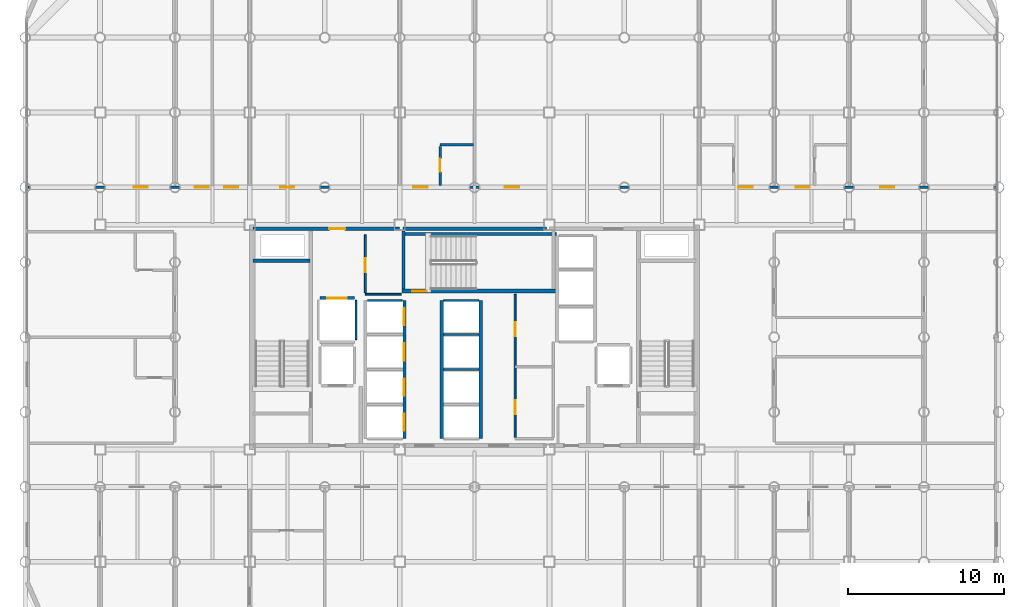
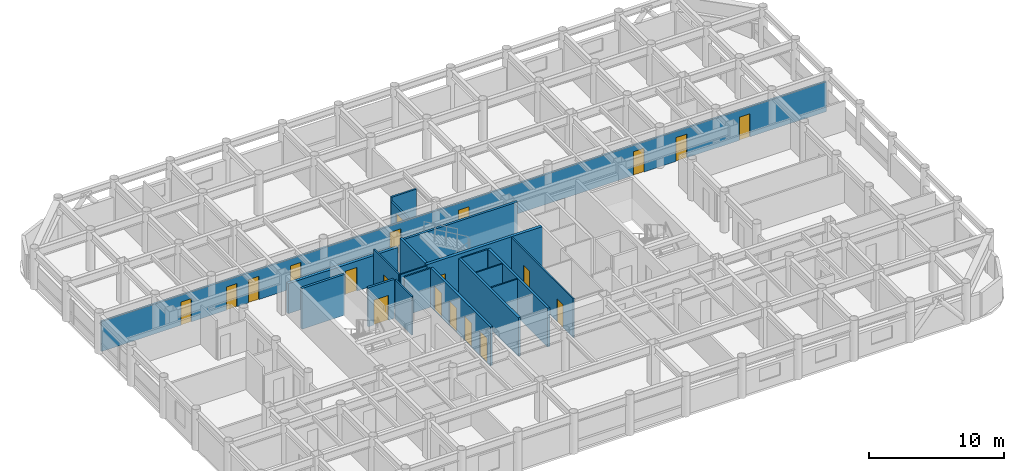
# One storey, part 17 of 20: 21 walls, 20 doors, 20 openings.
"""IFC4 building model written with IfcOpenShell, lengths in metres."""

import ifcopenshell
import ifcopenshell.guid

model = None  # the IFC model being written
_history = None  # IfcOwnerHistory: only IFC2X3 demands one
_inside = {}  # id of a spatial element -> (the spatial element, [elements in it])
_under = {}  # id of a project, library or spatial element -> (it, [spatial elements below it])
_declared = {}  # id of a project -> (the project, [libraries it declares])
_typed = {}  # id of a type object -> (the type object, [elements of that type])
_made_of = {}  # id of a material, layer set ... -> (it, [elements and type objects made of it])


def new_model(schema):
    """Start an empty IFC model of exactly this schema.

    Asked for "IFC4X3", IfcOpenShell would pick the latest addendum, in which some entities
    have other attributes; the version numbers below select the first issue.
    IFC2X3 requires an IfcOwnerHistory on every rooted entity: one is made here for all.
    """
    global model, _history
    if schema == "IFC4X3":
        model = ifcopenshell.file(schema_version=(4, 3, 0, 0))
    else:
        model = ifcopenshell.file(schema=schema)
    _inside.clear()
    _under.clear()
    _declared.clear()
    _typed.clear()
    _made_of.clear()
    _history = None
    if model.schema == "IFC2X3":
        org = make("IfcOrganization", Name="unknown")
        user = make(
            "IfcPersonAndOrganization",
            ThePerson=make("IfcPerson", FamilyName="unknown"),
            TheOrganization=org,
        )
        app = make(
            "IfcApplication",
            ApplicationDeveloper=org,
            Version="unknown",
            ApplicationFullName="unknown",
            ApplicationIdentifier="unknown",
        )
        _history = make(
            "IfcOwnerHistory",
            OwningUser=user,
            OwningApplication=app,
            ChangeAction="ADDED",
            CreationDate=0,
        )
    return model


def make(cls, **values):
    """One entity of the class cls with the attributes given. An attribute that is None is left unset."""
    return model.create_entity(
        cls, **{name: value for name, value in values.items() if value is not None}
    )


def rooted(cls, **values):
    """An entity with a GlobalId (a new one), such as an element, a storey or a relation."""
    return make(cls, GlobalId=ifcopenshell.guid.new(), OwnerHistory=_history, **values)


def si_unit(unit_type, name, prefix=None):
    """IfcSIUnit, for example si_unit("LENGTHUNIT", "METRE", prefix="MILLI")."""
    return make("IfcSIUnit", UnitType=unit_type, Prefix=prefix, Name=name)


def assignment(units):
    """IfcUnitAssignment: the units of a project."""
    return None if units is None else make("IfcUnitAssignment", Units=units)


def point(xyz):
    """IfcCartesianPoint."""
    return None if xyz is None else make("IfcCartesianPoint", Coordinates=xyz)


def direction(xyz):
    """IfcDirection."""
    return None if xyz is None else make("IfcDirection", DirectionRatios=xyz)


def frame(location, z_axis=None, x_axis=None):
    """IfcAxis2Placement3D, a coordinate frame: its origin and axes. An axis left out is left unset."""
    return make(
        "IfcAxis2Placement3D",
        Location=point(location),
        Axis=direction(z_axis),
        RefDirection=direction(x_axis),
    )


def frame_2d(location, x_axis=None):
    """IfcAxis2Placement2D, a coordinate frame in the plane: its origin and x axis."""
    return make(
        "IfcAxis2Placement2D", Location=point(location), RefDirection=direction(x_axis)
    )


def origin():
    """The frame at (0, 0, 0) with its axes left unset."""
    return frame((0.0, 0.0, 0.0))


def place(relative_to, where):
    """IfcLocalPlacement: puts the frame where relative to a parent placement (None: the world)."""
    return make(
        "IfcLocalPlacement", PlacementRelTo=relative_to, RelativePlacement=where
    )


def context(
    kind, dimensions, precision=None, world=None, true_north=None, identifier=None
):
    """IfcGeometricRepresentationContext, for example the 3D "Model" context."""
    return make(
        "IfcGeometricRepresentationContext",
        ContextIdentifier=identifier,
        ContextType=kind,
        CoordinateSpaceDimension=dimensions,
        Precision=precision,
        WorldCoordinateSystem=world,
        TrueNorth=true_north,
    )


def subcontext(parent, identifier, kind, view, scale=None):
    """IfcGeometricRepresentationSubContext, for example "Body" below "Model"."""
    return make(
        "IfcGeometricRepresentationSubContext",
        ContextIdentifier=identifier,
        ContextType=kind,
        ParentContext=parent,
        TargetScale=scale,
        TargetView=view,
    )


def project(units=None, contexts=None):
    """IfcProject with its units and contexts."""
    return rooted(
        "IfcProject",
        Name="project",
        RepresentationContexts=contexts,
        UnitsInContext=assignment(units),
    )


def spatial(cls, under=None, at=None, **own):
    """A site, building, storey or space (cls), placed at a placement, below another one or the project."""
    s = rooted(cls, ObjectPlacement=at, **own)
    if under is not None:
        _under.setdefault(under.id(), (under, []))[1].append(s)
    return s


def profile(cls, at=None, kind="AREA", **sizes):
    """A parametric profile (cls). Its sizes go by their IFC names, for example OverallWidth=200.0."""
    return make(cls, ProfileType=kind, Position=at, **sizes)


def rectangle(**sizes):
    """IfcRectangleProfileDef."""
    return profile("IfcRectangleProfileDef", **sizes)


def extrude(swept, where, along, depth):
    """IfcExtrudedAreaSolid: the profile swept, set in the frame where, extruded along a direction by depth."""
    return make(
        "IfcExtrudedAreaSolid",
        SweptArea=swept,
        Position=where,
        ExtrudedDirection=direction(along),
        Depth=depth,
    )


def shape(context_of_items, identifier, shape_type, items):
    """IfcShapeRepresentation: the items that make up one representation, for example the "Body"."""
    return make(
        "IfcShapeRepresentation",
        ContextOfItems=context_of_items,
        RepresentationIdentifier=identifier,
        RepresentationType=shape_type,
        Items=items,
    )


def material(Name=None, Category=None):
    """IfcMaterial."""
    return make("IfcMaterial", Name=Name, Category=Category)


def layer(
    of_material, thickness, ventilated=None, Name=None, Category=None, Priority=None
):
    """IfcMaterialLayer: one layer of a wall or slab, of a material (None: an air gap)."""
    return make(
        "IfcMaterialLayer",
        Material=of_material,
        LayerThickness=thickness,
        IsVentilated=ventilated,
        Name=Name,
        Category=Category,
        Priority=Priority,
    )


def layer_set(layers, Name=None):
    """IfcMaterialLayerSet."""
    return make("IfcMaterialLayerSet", MaterialLayers=layers, LayerSetName=Name)


def made_of(thing, what):
    """Note that an element or type object is made of a material, layer set ...; save() writes the relation."""
    if what is not None:
        _made_of.setdefault(what.id(), (what, []))[1].append(thing)
    return thing


def type_object(cls, material=None, **own):
    """A type object (cls), such as IfcWallType, which elements share."""
    return made_of(rooted(cls, **own), material)


def element(
    cls,
    number,
    at=None,
    inside=None,
    cuts=None,
    type_object=None,
    material=None,
    context=None,
    identifier="Body",
    shape_type=None,
    held_by="IfcProductDefinitionShape",
    body=None,
    shapes=None,
    **own,
):
    """One element of the class cls, such as IfcWall. Its Tag is "e" and its number.

    at: its placement. inside: the storey or other place that contains it. cuts: it is an
    opening in that element (IfcRelVoidsElement). A single representation is given by context,
    identifier, shape_type and body (its items); several are given by shapes. held_by: the class
    of the entity that holds the representations. save() writes the other relations.
    """
    e = rooted(cls, Tag="e%d" % number, ObjectPlacement=at, **own)
    if body is not None:
        shapes = [shape(context, identifier, shape_type, body)]
    if shapes is not None:
        e.Representation = make(held_by, Representations=shapes)
    if inside is not None:
        _inside.setdefault(inside.id(), (inside, []))[1].append(e)
    if cuts is not None:
        rooted(
            "IfcRelVoidsElement", RelatingBuildingElement=cuts, RelatedOpeningElement=e
        )
    if type_object is not None:
        _typed.setdefault(type_object.id(), (type_object, []))[1].append(e)
    return made_of(e, material)


def fill(opening, filler):
    """IfcRelFillsElement: the door or window that sits in an opening."""
    return rooted(
        "IfcRelFillsElement",
        RelatingOpeningElement=opening,
        RelatedBuildingElement=filler,
    )


def aggregate(whole, parts):
    """IfcRelAggregates: a whole, such as a stair, and the parts it consists of."""
    return rooted("IfcRelAggregates", RelatingObject=whole, RelatedObjects=parts)


def save(model, path):
    """Write the relations noted so far, then the file.

    IfcRelAggregates (storeys below a building ...), IfcRelContainedInSpatialStructure (elements
    in a storey), IfcRelDefinesByType, IfcRelAssociatesMaterial and IfcRelDeclares: one each for
    every whole, place, type object, material and project.
    """
    for whole, parts in _under.values():
        aggregate(whole, parts)
    for where, things in _inside.values():
        rooted(
            "IfcRelContainedInSpatialStructure",
            RelatedElements=things,
            RelatingStructure=where,
        )
    for kind, things in _typed.values():
        rooted("IfcRelDefinesByType", RelatedObjects=things, RelatingType=kind)
    for what, things in _made_of.values():
        rooted("IfcRelAssociatesMaterial", RelatedObjects=things, RelatingMaterial=what)
    for by, libraries in _declared.values():
        rooted("IfcRelDeclares", RelatingContext=by, RelatedDefinitions=libraries)
    model.write(path)


model = new_model("IFC4")

# Units and contexts
model_context = context("Model", 3, precision=1e-05, world=origin(), true_north=direction((0.0, 1.0)))
body_context = subcontext(model_context, "Body", "Model", "MODEL_VIEW")
ifc_project = project(units=[si_unit("LENGTHUNIT", "METRE"), si_unit("AREAUNIT", "SQUARE_METRE"), si_unit("VOLUMEUNIT", "CUBIC_METRE"), si_unit("PLANEANGLEUNIT", "RADIAN"), si_unit("MASSUNIT", "GRAM", prefix="KILO")], contexts=[model_context])

# Site, building, storey
site_placement = place(None, origin())
site = spatial("IfcSite", under=ifc_project, at=site_placement, CompositionType="ELEMENT")
building_placement = place(site_placement, origin())
building = spatial("IfcBuilding", under=site, at=building_placement, Name="Kallvorn Hotel Tower", CompositionType="ELEMENT")
storey_placement = place(building_placement, frame((0.0, 0.0, 98.89990234375)))
storey = spatial("IfcBuildingStorey", under=building, at=storey_placement, Name="L23", CompositionType="ELEMENT", Elevation=98.89990234375)

# Wall, openings, doors
ifc_material_1 = material(Name="Fire-rated double-layer acoustic gypsum drywall EI 60")
ifc_layer_1 = layer(ifc_material_1, 0.159912109375)
ifc_layer_set_1 = layer_set([ifc_layer_1], Name="WL_DEMISE_160")
wall_type_1 = type_object("IfcWallType", Name="WL_DEMISE_160", PredefinedType="PARTITIONING", material=ifc_layer_set_1)
wall_1_placement = place(storey_placement, frame((-28.6298828125, 9.60009765625, 0.0), z_axis=(0.0, 0.0, 1.0), x_axis=(1.0, 0.0, 0.0)))
wall_1 = element("IfcWall", 1, at=wall_1_placement, inside=storey, type_object=wall_type_1, Name="L23 Suite 2305 Standard King Room Partition", PredefinedType="PARTITIONING", context=body_context, shape_type="SweptSolid", body=[
    extrude(rectangle(XDim=62.059814453125, YDim=0.159912109375, at=frame_2d((31.02978515625, 0.0))), origin(), (0.0, 0.0, 1.0), 2.72021484375),
])
opening_1_placement = place(wall_1_placement, frame((6.799560546875, 0.0, 0.0)))
opening_1 = element("IfcOpeningElement", 2, at=opening_1_placement, cuts=wall_1, Name="Opening SVD1", PredefinedType="OPENING", context=body_context, shape_type="SweptSolid", body=[
    extrude(rectangle(XDim=0.89990234375, YDim=2.10009765625, at=frame_2d((0.449951171875, 1.050048828125))), frame((0.0, 0.094970703125, 0.0), z_axis=(0.0, -1.0, 0.0), x_axis=(1.0, 0.0, 0.0)), (0.0, 0.0, 1.0), 0.18994140625),
])
opening_2_placement = place(wall_1_placement, frame((54.6201171875, 0.0, 0.0)))
opening_2 = element("IfcOpeningElement", 3, at=opening_2_placement, cuts=wall_1, Name="Opening SVD1", PredefinedType="OPENING", context=body_context, shape_type="SweptSolid", body=[
    extrude(rectangle(XDim=0.89990234375, YDim=2.10009765625, at=frame_2d((0.449951171875, 1.050048828125))), frame((0.0, 0.094970703125, 0.0), z_axis=(0.0, -1.0, 0.0), x_axis=(1.0, 0.0, 0.0)), (0.0, 0.0, 1.0), 0.18994140625),
])
opening_3_placement = place(wall_1_placement, frame((10.68994140625, 0.0, 0.0)))
opening_3 = element("IfcOpeningElement", 4, at=opening_3_placement, cuts=wall_1, Name="Opening SVD1", PredefinedType="OPENING", context=body_context, shape_type="SweptSolid", body=[
    extrude(rectangle(XDim=0.89990234375, YDim=2.10009765625, at=frame_2d((0.449951171875, 1.050048828125))), frame((0.0, 0.094970703125, 0.0), z_axis=(0.0, -1.0, 0.0), x_axis=(1.0, 0.0, 0.0)), (0.0, 0.0, 1.0), 0.18994140625),
])
opening_4_placement = place(wall_1_placement, frame((12.580078125, 0.0, 0.0)))
opening_4 = element("IfcOpeningElement", 5, at=opening_4_placement, cuts=wall_1, Name="Opening SVD1", PredefinedType="OPENING", context=body_context, shape_type="SweptSolid", body=[
    extrude(rectangle(XDim=0.89990234375, YDim=2.10009765625, at=frame_2d((0.449951171875, 1.050048828125))), frame((0.0, 0.094970703125, 0.0), z_axis=(0.0, -1.0, 0.0), x_axis=(1.0, 0.0, 0.0)), (0.0, 0.0, 1.0), 0.18994140625),
])
opening_5_placement = place(wall_1_placement, frame((16.179931640625, 0.0, 0.0)))
opening_5 = element("IfcOpeningElement", 6, at=opening_5_placement, cuts=wall_1, Name="Opening SVD1", PredefinedType="OPENING", context=body_context, shape_type="SweptSolid", body=[
    extrude(rectangle(XDim=0.89990234375, YDim=2.10009765625, at=frame_2d((0.449951171875, 1.050048828125))), frame((0.0, 0.094970703125, 0.0), z_axis=(0.0, -1.0, 0.0), x_axis=(1.0, 0.0, 0.0)), (0.0, 0.0, 1.0), 0.18994140625),
])
opening_6_placement = place(wall_1_placement, frame((24.705078125, 0.0, 0.0)))
opening_6 = element("IfcOpeningElement", 7, at=opening_6_placement, cuts=wall_1, Name="Opening GD1", PredefinedType="OPENING", context=body_context, shape_type="SweptSolid", body=[
    extrude(rectangle(XDim=0.919921875, YDim=2.14990234375, at=frame_2d((0.4599609375, 1.074951171875))), frame((0.0, 0.094970703125, 0.0), z_axis=(0.0, -1.0, 0.0), x_axis=(1.0, 0.0, 0.0)), (0.0, 0.0, 1.0), 0.18994140625),
])
opening_7_placement = place(wall_1_placement, frame((30.580078125, 0.0, 0.0)))
opening_7 = element("IfcOpeningElement", 8, at=opening_7_placement, cuts=wall_1, Name="Opening SVD1", PredefinedType="OPENING", context=body_context, shape_type="SweptSolid", body=[
    extrude(rectangle(XDim=0.89990234375, YDim=2.10009765625, at=frame_2d((0.449951171875, 1.050048828125))), frame((0.0, 0.094970703125, 0.0), z_axis=(0.0, -1.0, 0.0), x_axis=(1.0, 0.0, 0.0)), (0.0, 0.0, 1.0), 0.18994140625),
])
opening_8_placement = place(wall_1_placement, frame((45.5400390625, 0.0, 0.0)))
opening_8 = element("IfcOpeningElement", 9, at=opening_8_placement, cuts=wall_1, Name="Opening GD1", PredefinedType="OPENING", context=body_context, shape_type="SweptSolid", body=[
    extrude(rectangle(XDim=0.919921875, YDim=2.14990234375, at=frame_2d((0.4599609375, 1.074951171875))), frame((0.0, 0.094970703125, 0.0), z_axis=(0.0, -1.0, 0.0), x_axis=(1.0, 0.0, 0.0)), (0.0, 0.0, 1.0), 0.18994140625),
])
opening_9_placement = place(wall_1_placement, frame((49.199951171875, 0.0, 0.0)))
opening_9 = element("IfcOpeningElement", 10, at=opening_9_placement, cuts=wall_1, Name="Opening GD1", PredefinedType="OPENING", context=body_context, shape_type="SweptSolid", body=[
    extrude(rectangle(XDim=0.919921875, YDim=2.14990234375, at=frame_2d((0.4599609375, 1.074951171875))), frame((0.0, 0.094970703125, 0.0), z_axis=(0.0, -1.0, 0.0), x_axis=(1.0, 0.0, 0.0)), (0.0, 0.0, 1.0), 0.18994140625),
])
ifc_material_2 = material(Name="Solid-core walnut veneer fire-rated timber door leaf", Category="wood")
door_type_1 = type_object("IfcDoorType", Name="DR_GUEST_920x2150", OperationType="NOTDEFINED", PredefinedType="DOOR", material=ifc_material_2)
door_1_placement = place(opening_6_placement, origin())
door_1 = element("IfcDoor", 11, at=door_1_placement, inside=storey, type_object=door_type_1, Name="L23 Suite 2305 Standard King Room Door", OperationType="SINGLE_SWING_LEFT", OverallHeight=2.14990234375, OverallWidth=0.919921875, PredefinedType="DOOR", context=body_context, shape_type="SweptSolid", body=[
    extrude(rectangle(XDim=0.919921875, YDim=2.14990234375, at=frame_2d((0.4599609375, 1.074951171875))), frame((0.0, 0.02490234375, 0.0), z_axis=(0.0, -1.0, 0.0), x_axis=(1.0, 0.0, 0.0)), (0.0, 0.0, 1.0), 0.050048828125),
])
fill(opening_6, door_1)
door_2_placement = place(opening_8_placement, origin())
door_2 = element("IfcDoor", 12, at=door_2_placement, inside=storey, type_object=door_type_1, Name="L23 Suite 2306 Standard King Room Door", OperationType="SINGLE_SWING_RIGHT", OverallHeight=2.14990234375, OverallWidth=0.919921875, PredefinedType="DOOR", context=body_context, shape_type="SweptSolid", body=[
    extrude(rectangle(XDim=0.919921875, YDim=2.14990234375, at=frame_2d((0.4599609375, 1.074951171875))), frame((0.0, 0.02490234375, 0.0), z_axis=(0.0, -1.0, 0.0), x_axis=(1.0, 0.0, 0.0)), (0.0, 0.0, 1.0), 0.050048828125),
])
fill(opening_8, door_2)
door_3_placement = place(opening_9_placement, origin())
door_3 = element("IfcDoor", 13, at=door_3_placement, inside=storey, type_object=door_type_1, Name="L23 Suite 2307 Standard King Room Door", OperationType="SINGLE_SWING_RIGHT", OverallHeight=2.14990234375, OverallWidth=0.919921875, PredefinedType="DOOR", context=body_context, shape_type="SweptSolid", body=[
    extrude(rectangle(XDim=0.919921875, YDim=2.14990234375, at=frame_2d((0.4599609375, 1.074951171875))), frame((0.0, 0.02490234375, 0.0), z_axis=(0.0, -1.0, 0.0), x_axis=(1.0, 0.0, 0.0)), (0.0, 0.0, 1.0), 0.050048828125),
])
fill(opening_9, door_3)
ifc_material_3 = material(Name="Galvanised painted steel fire-rated door assembly", Category="steel")
door_type_2 = type_object("IfcDoorType", Name="DR_SERV_900x2100", OperationType="NOTDEFINED", PredefinedType="DOOR", material=ifc_material_3)
door_4_placement = place(opening_1_placement, origin())
door_4 = element("IfcDoor", 14, at=door_4_placement, inside=storey, type_object=door_type_2, Name="L23 L23 North-West Fitness Gymnasium Door", OperationType="SINGLE_SWING_RIGHT", OverallHeight=2.10009765625, OverallWidth=0.89990234375, PredefinedType="DOOR", context=body_context, shape_type="SweptSolid", body=[
    extrude(rectangle(XDim=0.89990234375, YDim=2.10009765625, at=frame_2d((0.449951171875, 1.050048828125))), frame((0.0, 0.02490234375, 0.0), z_axis=(0.0, -1.0, 0.0), x_axis=(1.0, 0.0, 0.0)), (0.0, 0.0, 1.0), 0.050048828125),
])
fill(opening_1, door_4)
door_5_placement = place(opening_2_placement, origin())
door_5 = element("IfcDoor", 15, at=door_5_placement, inside=storey, type_object=door_type_2, Name="L23 L23 North-East Reading Club A Door", OperationType="SINGLE_SWING_RIGHT", OverallHeight=2.10009765625, OverallWidth=0.89990234375, PredefinedType="DOOR", context=body_context, shape_type="SweptSolid", body=[
    extrude(rectangle(XDim=0.89990234375, YDim=2.10009765625, at=frame_2d((0.449951171875, 1.050048828125))), frame((0.0, 0.02490234375, 0.0), z_axis=(0.0, -1.0, 0.0), x_axis=(1.0, 0.0, 0.0)), (0.0, 0.0, 1.0), 0.050048828125),
])
fill(opening_2, door_5)
door_6_placement = place(opening_3_placement, origin())
door_6 = element("IfcDoor", 16, at=door_6_placement, inside=storey, type_object=door_type_2, Name="L23 Housekeeping and Linen Room Door", OperationType="SINGLE_SWING_RIGHT", OverallHeight=2.10009765625, OverallWidth=0.89990234375, PredefinedType="DOOR", context=body_context, shape_type="SweptSolid", body=[
    extrude(rectangle(XDim=0.89990234375, YDim=2.10009765625, at=frame_2d((0.449951171875, 1.050048828125))), frame((0.0, 0.02490234375, 0.0), z_axis=(0.0, -1.0, 0.0), x_axis=(1.0, 0.0, 0.0)), (0.0, 0.0, 1.0), 0.050048828125),
])
fill(opening_3, door_6)
door_7_placement = place(opening_4_placement, origin())
door_7 = element("IfcDoor", 17, at=door_7_placement, inside=storey, type_object=door_type_2, Name="L23 Guest Tea and Refreshment Bar Door", OperationType="SINGLE_SWING_LEFT", OverallHeight=2.10009765625, OverallWidth=0.89990234375, PredefinedType="DOOR", context=body_context, shape_type="SweptSolid", body=[
    extrude(rectangle(XDim=0.89990234375, YDim=2.10009765625, at=frame_2d((0.449951171875, 1.050048828125))), frame((0.0, 0.02490234375, 0.0), z_axis=(0.0, -1.0, 0.0), x_axis=(1.0, 0.0, 0.0)), (0.0, 0.0, 1.0), 0.050048828125),
])
fill(opening_4, door_7)
door_8_placement = place(opening_5_placement, origin())
door_8 = element("IfcDoor", 18, at=door_8_placement, inside=storey, type_object=door_type_2, Name="L23 L23 Curated Emerald Craft Retail Boutique 2 Door", OperationType="SINGLE_SWING_RIGHT", OverallHeight=2.10009765625, OverallWidth=0.89990234375, PredefinedType="DOOR", context=body_context, shape_type="SweptSolid", body=[
    extrude(rectangle(XDim=0.89990234375, YDim=2.10009765625, at=frame_2d((0.449951171875, 1.050048828125))), frame((0.0, 0.02490234375, 0.0), z_axis=(0.0, -1.0, 0.0), x_axis=(1.0, 0.0, 0.0)), (0.0, 0.0, 1.0), 0.050048828125),
])
fill(opening_5, door_8)
door_9_placement = place(opening_7_placement, origin())
door_9 = element("IfcDoor", 19, at=door_9_placement, inside=storey, type_object=door_type_2, Name="L23 L23 Panoramic Club Sky Lounge 4 Door", OperationType="SINGLE_SWING_RIGHT", OverallHeight=2.10009765625, OverallWidth=0.89990234375, PredefinedType="DOOR", context=body_context, shape_type="SweptSolid", body=[
    extrude(rectangle(XDim=0.89990234375, YDim=2.10009765625, at=frame_2d((0.449951171875, 1.050048828125))), frame((0.0, 0.02490234375, 0.0), z_axis=(0.0, -1.0, 0.0), x_axis=(1.0, 0.0, 0.0)), (0.0, 0.0, 1.0), 0.050048828125),
])
fill(opening_7, door_9)

# Wall
wall_2_placement = place(storey_placement, frame((-2.2099609375, 12.320068359375, 0.0), z_axis=(0.0, 0.0, 1.0), x_axis=(1.0, 0.0, 0.0)))
element("IfcWall", 20, at=wall_2_placement, inside=storey, type_object=wall_type_1, Name="L23 Suite 2305 Standard King Room Partition", PredefinedType="PARTITIONING", context=body_context, shape_type="SweptSolid", body=[
    extrude(rectangle(XDim=2.1298828125, YDim=0.159912109375, at=frame_2d((1.06494140625, 0.0))), origin(), (0.0, 0.0, 1.0), 3.070068359375),
])

# Wall, opening, door
wall_3_placement = place(storey_placement, frame((-2.2099609375, 9.719970703125, 0.0), z_axis=(0.0, 0.0, 1.0), x_axis=(0.0, 1.0, 0.0)))
wall_3 = element("IfcWall", 21, at=wall_3_placement, inside=storey, type_object=wall_type_1, Name="L23 Suite 2305 Standard King Room Partition", PredefinedType="PARTITIONING", context=body_context, shape_type="SweptSolid", body=[
    extrude(rectangle(XDim=2.51513671875, YDim=0.159912109375, at=frame_2d((1.257568359375, 0.0))), origin(), (0.0, 0.0, 1.0), 2.72021484375),
])
opening_10_placement = place(wall_3_placement, frame((0.8701171875, 0.0, 0.0)))
opening_10 = element("IfcOpeningElement", 22, at=opening_10_placement, cuts=wall_3, Name="Opening BD-I", PredefinedType="OPENING", context=body_context, shape_type="SweptSolid", body=[
    extrude(rectangle(XDim=0.860107421875, YDim=2.10009765625, at=frame_2d((0.43017578125, 1.050048828125))), frame((0.0, 0.094970703125, 0.0), z_axis=(0.0, -1.0, 0.0), x_axis=(1.0, 0.0, 0.0)), (0.0, 0.0, 1.0), 0.18994140625),
])
ifc_material_4 = material(Name="Solid-core walnut veneer fire-rated timber door leaf", Category="wood")
door_type_3 = type_object("IfcDoorType", Name="DR_BATH_860x2100", OperationType="NOTDEFINED", PredefinedType="DOOR", material=ifc_material_4)
door_10_placement = place(opening_10_placement, origin())
door_10 = element("IfcDoor", 23, at=door_10_placement, inside=storey, type_object=door_type_3, Name="L23 Suite 2305 En-Suite Bathroom Door", OperationType="SINGLE_SWING_LEFT", OverallHeight=2.10009765625, OverallWidth=0.860107421875, PredefinedType="DOOR", context=body_context, shape_type="SweptSolid", body=[
    extrude(rectangle(XDim=0.860107421875, YDim=2.10009765625, at=frame_2d((0.43017578125, 1.050048828125))), frame((0.0, 0.02490234375, 0.0), z_axis=(0.0, -1.0, 0.0), x_axis=(1.0, 0.0, 0.0)), (0.0, 0.0, 1.0), 0.050048828125),
])
fill(opening_10, door_10)

# Walls
ifc_material_5 = material(Name="Concrete C40/50", Category="concrete")
ifc_layer_2 = layer(ifc_material_5, 0.199951171875)
ifc_layer_set_2 = layer_set([ifc_layer_2], Name="WL_HOIST_200")
wall_type_2 = type_object("IfcWallType", Name="WL_HOIST_200", PredefinedType="SOLIDWALL", material=ifc_layer_set_2)
wall_4_placement = place(storey_placement, frame((-14.199951171875, 4.89990234375, -0.179931640625), z_axis=(0.0, 0.0, 1.0), x_axis=(1.0, 0.0, 0.0)))
element("IfcWall", 24, at=wall_4_placement, inside=storey, type_object=wall_type_2, Name="L23 Stair ST1 North Wall", PredefinedType="SOLIDWALL", context=body_context, shape_type="SweptSolid", body=[
    extrude(rectangle(XDim=3.64990234375, YDim=0.199951171875, at=frame_2d((1.824951171875, 0.0))), origin(), (0.0, 0.0, 1.0), 3.699951171875),
])
wall_5_placement = place(storey_placement, frame((-4.64990234375, 6.610107421875, -0.179931640625), z_axis=(0.0, 0.0, 1.0), x_axis=(1.0, 0.0, 0.0)))
element("IfcWall", 25, at=wall_5_placement, inside=storey, type_object=wall_type_2, Name="L23 Stair ST3 Shaft North Wall", PredefinedType="SOLIDWALL", context=body_context, shape_type="SweptSolid", body=[
    extrude(rectangle(XDim=9.89990234375, YDim=0.199951171875, at=frame_2d((4.949951171875, 0.0))), origin(), (0.0, 0.0, 1.0), 3.699951171875),
])
wall_6_placement = place(storey_placement, frame((-4.550048828125, 3.080078125, -0.179931640625), z_axis=(0.0, 0.0, 1.0), x_axis=(0.0, 1.0, 0.0)))
element("IfcWall", 26, at=wall_6_placement, inside=storey, type_object=wall_type_2, Name="L23 Stair ST3 West Wall", PredefinedType="SOLIDWALL", context=body_context, shape_type="SweptSolid", body=[
    extrude(rectangle(XDim=3.739990234375, YDim=0.199951171875, at=frame_2d((1.8701171875, 0.0))), origin(), (0.0, 0.0, 1.0), 3.699951171875),
])

# Wall, openings, doors
wall_7_placement = place(storey_placement, frame((-4.5, -6.5, 0.0), z_axis=(0.0, 0.0, 1.0), x_axis=(0.0, 1.0, 0.0)))
wall_7 = element("IfcWall", 27, at=wall_7_placement, inside=storey, type_object=wall_type_2, Name="L23 Lift Bank B1 Landing Wall", PredefinedType="SOLIDWALL", context=body_context, shape_type="SweptSolid", body=[
    extrude(rectangle(XDim=8.85009765625, YDim=0.199951171875, at=frame_2d((4.425048828125, 0.0))), origin(), (0.0, 0.0, 1.0), 3.52001953125),
])
opening_11_placement = place(wall_7_placement, frame((0.5, 0.0, 0.0)))
opening_11 = element("IfcOpeningElement", 28, at=opening_11_placement, cuts=wall_7, Name="Opening LD-PL-01", PredefinedType="OPENING", context=body_context, shape_type="SweptSolid", body=[
    extrude(rectangle(XDim=1.10009765625, YDim=2.199951171875, at=frame_2d((0.550048828125, 1.10009765625))), frame((0.0, 0.114990234375, 0.0), z_axis=(0.0, -1.0, 0.0), x_axis=(1.0, 0.0, 0.0)), (0.0, 0.0, 1.0), 0.22998046875),
])
opening_12_placement = place(wall_7_placement, frame((2.75, 0.0, 0.0)))
opening_12 = element("IfcOpeningElement", 29, at=opening_12_placement, cuts=wall_7, Name="Opening LD-PL-02", PredefinedType="OPENING", context=body_context, shape_type="SweptSolid", body=[
    extrude(rectangle(XDim=1.10009765625, YDim=2.199951171875, at=frame_2d((0.550048828125, 1.10009765625))), frame((0.0, 0.114990234375, 0.0), z_axis=(0.0, -1.0, 0.0), x_axis=(1.0, 0.0, 0.0)), (0.0, 0.0, 1.0), 0.22998046875),
])
opening_13_placement = place(wall_7_placement, frame((5.0, 0.0, 0.0)))
opening_13 = element("IfcOpeningElement", 30, at=opening_13_placement, cuts=wall_7, Name="Opening LD-PL-03", PredefinedType="OPENING", context=body_context, shape_type="SweptSolid", body=[
    extrude(rectangle(XDim=1.10009765625, YDim=2.199951171875, at=frame_2d((0.550048828125, 1.10009765625))), frame((0.0, 0.114990234375, 0.0), z_axis=(0.0, -1.0, 0.0), x_axis=(1.0, 0.0, 0.0)), (0.0, 0.0, 1.0), 0.22998046875),
])
opening_14_placement = place(wall_7_placement, frame((7.25, 0.0, 0.0)))
opening_14 = element("IfcOpeningElement", 31, at=opening_14_placement, cuts=wall_7, Name="Opening LD-PL-04", PredefinedType="OPENING", context=body_context, shape_type="SweptSolid", body=[
    extrude(rectangle(XDim=1.10009765625, YDim=2.199951171875, at=frame_2d((0.550048828125, 1.10009765625))), frame((0.0, 0.114990234375, 0.0), z_axis=(0.0, -1.0, 0.0), x_axis=(1.0, 0.0, 0.0)), (0.0, 0.0, 1.0), 0.22998046875),
])
ifc_material_6 = material(Name="Brushed stainless-steel automatic sliding lift landing door", Category="steel")
door_type_4 = type_object("IfcDoorType", Name="LD_PASS_1100x2200", OperationType="SLIDING_TO_LEFT", PredefinedType="DOOR", material=ifc_material_6)
door_11_placement = place(opening_11_placement, origin())
door_11 = element("IfcDoor", 32, at=door_11_placement, inside=storey, type_object=door_type_4, Name="L23 Lift Landing Sliding Door LD-PL-01", OperationType="SLIDING_TO_LEFT", OverallHeight=2.199951171875, OverallWidth=1.10009765625, PredefinedType="DOOR", context=body_context, shape_type="SweptSolid", body=[
    extrude(rectangle(XDim=1.10009765625, YDim=2.199951171875, at=frame_2d((0.550048828125, 1.10009765625))), frame((0.0, 0.02490234375, 0.0), z_axis=(0.0, -1.0, 0.0), x_axis=(1.0, 0.0, 0.0)), (0.0, 0.0, 1.0), 0.050048828125),
])
fill(opening_11, door_11)
door_12_placement = place(opening_12_placement, origin())
door_12 = element("IfcDoor", 33, at=door_12_placement, inside=storey, type_object=door_type_4, Name="L23 Lift Landing Sliding Door LD-PL-02", OperationType="SLIDING_TO_LEFT", OverallHeight=2.199951171875, OverallWidth=1.10009765625, PredefinedType="DOOR", context=body_context, shape_type="SweptSolid", body=[
    extrude(rectangle(XDim=1.10009765625, YDim=2.199951171875, at=frame_2d((0.550048828125, 1.10009765625))), frame((0.0, 0.02490234375, 0.0), z_axis=(0.0, -1.0, 0.0), x_axis=(1.0, 0.0, 0.0)), (0.0, 0.0, 1.0), 0.050048828125),
])
fill(opening_12, door_12)
door_13_placement = place(opening_13_placement, origin())
door_13 = element("IfcDoor", 34, at=door_13_placement, inside=storey, type_object=door_type_4, Name="L23 Lift Landing Sliding Door LD-PL-03", OperationType="SLIDING_TO_LEFT", OverallHeight=2.199951171875, OverallWidth=1.10009765625, PredefinedType="DOOR", context=body_context, shape_type="SweptSolid", body=[
    extrude(rectangle(XDim=1.10009765625, YDim=2.199951171875, at=frame_2d((0.550048828125, 1.10009765625))), frame((0.0, 0.02490234375, 0.0), z_axis=(0.0, -1.0, 0.0), x_axis=(1.0, 0.0, 0.0)), (0.0, 0.0, 1.0), 0.050048828125),
])
fill(opening_13, door_13)
door_14_placement = place(opening_14_placement, origin())
door_14 = element("IfcDoor", 35, at=door_14_placement, inside=storey, type_object=door_type_4, Name="L23 Lift Landing Sliding Door LD-PL-04", OperationType="SLIDING_TO_LEFT", OverallHeight=2.199951171875, OverallWidth=1.10009765625, PredefinedType="DOOR", context=body_context, shape_type="SweptSolid", body=[
    extrude(rectangle(XDim=1.10009765625, YDim=2.199951171875, at=frame_2d((0.550048828125, 1.10009765625))), frame((0.0, 0.02490234375, 0.0), z_axis=(0.0, -1.0, 0.0), x_axis=(1.0, 0.0, 0.0)), (0.0, 0.0, 1.0), 0.050048828125),
])
fill(opening_14, door_14)

# Walls
for number, where, z_axis, x_axis, name in (
    (36, (-2.10009765625, -6.5, 0.0), (0.0, 0.0, 1.0), (0.0, 1.0, 0.0), "L23 Lift Bank B2 Landing Wall"),
    (37, (0.39990234375, -6.5, 0.0), (0.0, 0.0, 1.0), (0.0, 1.0, 0.0), "L23 Lift Bank B2 Rear Shaft Wall"),
):
    element("IfcWall", number, at=place(storey_placement, frame(where, z_axis=z_axis, x_axis=x_axis)), inside=storey, type_object=wall_type_2, Name=name, PredefinedType="SOLIDWALL", context=body_context, shape_type="SweptSolid", body=[
        extrude(rectangle(XDim=8.85009765625, YDim=0.199951171875, at=frame_2d((4.425048828125, 0.0))), origin(), (0.0, 0.0, 1.0), 3.52001953125),
    ])

# Wall, opening, door
wall_8_placement = place(storey_placement, frame((-9.919921875, 2.5, 0.0), z_axis=(0.0, 0.0, 1.0), x_axis=(1.0, 0.0, 0.0)))
wall_8 = element("IfcWall", 38, at=wall_8_placement, inside=storey, type_object=wall_type_2, Name="L23 SV-01 Landing Wall", PredefinedType="SOLIDWALL", context=body_context, shape_type="SweptSolid", body=[
    extrude(rectangle(XDim=2.239990234375, YDim=0.199951171875, at=frame_2d((1.1201171875, 0.0))), origin(), (0.0, 0.0, 1.0), 3.52001953125),
])
opening_15_placement = place(wall_8_placement, frame((0.4951171875, 0.0, 0.0)))
opening_15 = element("IfcOpeningElement", 39, at=opening_15_placement, cuts=wall_8, Name="Opening LD-SV-01", PredefinedType="OPENING", context=body_context, shape_type="SweptSolid", body=[
    extrude(rectangle(XDim=1.25, YDim=2.25, at=frame_2d((0.625, 1.125))), frame((0.0, 0.114990234375, 0.0), z_axis=(0.0, -1.0, 0.0), x_axis=(1.0, 0.0, 0.0)), (0.0, 0.0, 1.0), 0.22998046875),
])
ifc_material_7 = material(Name="Brushed stainless-steel automatic sliding lift landing door", Category="steel")
door_type_5 = type_object("IfcDoorType", Name="LD_SERV_1250x2250", OperationType="SLIDING_TO_LEFT", PredefinedType="DOOR", material=ifc_material_7)
door_15_placement = place(opening_15_placement, origin())
door_15 = element("IfcDoor", 40, at=door_15_placement, inside=storey, type_object=door_type_5, Name="L23 Lift Landing Sliding Door LD-SV-01", OperationType="SLIDING_TO_LEFT", OverallHeight=2.25, OverallWidth=1.25, PredefinedType="DOOR", context=body_context, shape_type="SweptSolid", body=[
    extrude(rectangle(XDim=1.25, YDim=2.25, at=frame_2d((0.625, 1.125))), frame((0.0, 0.02490234375, 0.0), z_axis=(0.0, -1.0, 0.0), x_axis=(1.0, 0.0, 0.0)), (0.0, 0.0, 1.0), 0.050048828125),
])
fill(opening_15, door_15)

# Walls
ifc_material_8 = material(Name="Fire-rated double-layer acoustic gypsum drywall EI 60")
ifc_layer_3 = layer(ifc_material_8, 0.1201171875)
ifc_layer_set_3 = layer_set([ifc_layer_3], Name="WL_INT_120")
wall_type_3 = type_object("IfcWallType", Name="WL_INT_120", PredefinedType="PARTITIONING", material=ifc_layer_set_3)
wall_9_placement = place(storey_placement, frame((-6.860107421875, 2.35009765625, 0.0), z_axis=(0.0, 0.0, 1.0), x_axis=(1.0, 0.0, 0.0)))
element("IfcWall", 41, at=wall_9_placement, inside=storey, type_object=wall_type_3, Name="L23 PL-04 Hoistway Divider", PredefinedType="PARTITIONING", context=body_context, shape_type="SweptSolid", body=[
    extrude(rectangle(XDim=2.22021484375, YDim=0.1201171875, at=frame_2d((1.110107421875, 0.0))), origin(), (0.0, 0.0, 1.0), 3.52001953125),
])
for number, where, z_axis, x_axis, name in (
    (42, (-1.9599609375, -2.074951171875, 0.0), (0.0, 0.0, 1.0), (1.0, 0.0, 0.0), "L23 PL-06 Hoistway Divider"),
    (43, (-1.9599609375, 0.175048828125, 0.0), (0.0, 0.0, 1.0), (1.0, 0.0, 0.0), "L23 PL-07 Hoistway Divider"),
    (44, (-1.9599609375, 2.35009765625, 0.0), (0.0, 0.0, 1.0), (1.0, 0.0, 0.0), "L23 PL-08 Hoistway Divider"),
):
    element("IfcWall", number, at=place(storey_placement, frame(where, z_axis=z_axis, x_axis=x_axis)), inside=storey, type_object=wall_type_3, Name=name, PredefinedType="PARTITIONING", context=body_context, shape_type="SweptSolid", body=[
        extrude(rectangle(XDim=2.219970703125, YDim=0.1201171875, at=frame_2d((1.10986328125, 0.0))), origin(), (0.0, 0.0, 1.0), 3.52001953125),
    ])
wall_10_placement = place(storey_placement, frame((-7.60009765625, -0.159912109375, 0.0), z_axis=(0.0, 0.0, 1.0), x_axis=(0.0, 1.0, 0.0)))
element("IfcWall", 45, at=wall_10_placement, inside=storey, type_object=wall_type_3, Name="L23 SV-01 East Shaft Wall", PredefinedType="PARTITIONING", context=body_context, shape_type="SweptSolid", body=[
    extrude(rectangle(XDim=2.52001953125, YDim=0.1201171875, at=frame_2d((1.260009765625, 0.0))), origin(), (0.0, 0.0, 1.0), 3.52001953125),
])
wall_11_placement = place(storey_placement, frame((-7.0, 2.75, 0.0), z_axis=(0.0, 0.0, 1.0), x_axis=(1.0, 0.0, 0.0)))
element("IfcWall", 46, at=wall_11_placement, inside=storey, type_object=wall_type_3, Name="L23 Core Cleaners and Janitor Store Partition", PredefinedType="PARTITIONING", context=body_context, shape_type="SweptSolid", body=[
    extrude(rectangle(XDim=2.31005859375, YDim=0.1201171875, at=frame_2d((1.155029296875, 0.0))), origin(), (0.0, 0.0, 1.0), 3.52001953125),
])

# Wall, opening, door
wall_12_placement = place(storey_placement, frame((-7.0, 2.8349609375, 0.0), z_axis=(0.0, 0.0, 1.0), x_axis=(0.0, 1.0, 0.0)))
wall_12 = element("IfcWall", 47, at=wall_12_placement, inside=storey, type_object=wall_type_3, Name="L23 Core Cleaners and Janitor Store Partition", PredefinedType="PARTITIONING", context=body_context, shape_type="SweptSolid", body=[
    extrude(rectangle(XDim=3.715087890625, YDim=0.1201171875, at=frame_2d((1.857421875, 0.0))), origin(), (0.0, 0.0, 1.0), 3.52001953125),
])
opening_16_placement = place(wall_12_placement, frame((1.31494140625, 0.0, 0.0)))
opening_16 = element("IfcOpeningElement", 48, at=opening_16_placement, cuts=wall_12, Name="Opening SVD1", PredefinedType="OPENING", context=body_context, shape_type="SweptSolid", body=[
    extrude(rectangle(XDim=0.89990234375, YDim=2.10009765625, at=frame_2d((0.449951171875, 1.050048828125))), frame((0.0, 0.074951171875, 0.0), z_axis=(0.0, -1.0, 0.0), x_axis=(1.0, 0.0, 0.0)), (0.0, 0.0, 1.0), 0.150146484375),
])
door_16_placement = place(opening_16_placement, origin())
door_16 = element("IfcDoor", 49, at=door_16_placement, inside=storey, type_object=door_type_2, Name="L23 Core Cleaners and Janitor Store Door", OperationType="SINGLE_SWING_RIGHT", OverallHeight=2.10009765625, OverallWidth=0.89990234375, PredefinedType="DOOR", context=body_context, shape_type="SweptSolid", body=[
    extrude(rectangle(XDim=0.89990234375, YDim=2.10009765625, at=frame_2d((0.449951171875, 1.050048828125))), frame((0.0, 0.02490234375, 0.0), z_axis=(0.0, -1.0, 0.0), x_axis=(1.0, 0.0, 0.0)), (0.0, 0.0, 1.0), 0.050048828125),
])
fill(opening_16, door_16)

# Wall, openings, doors
wall_13_placement = place(storey_placement, frame((2.60009765625, -6.4150390625, 0.0), z_axis=(0.0, 0.0, 1.0), x_axis=(0.0, 1.0, 0.0)))
wall_13 = element("IfcWall", 50, at=wall_13_placement, inside=storey, type_object=wall_type_3, Name="L23 East Core Amenities and Minibar Store Partition", PredefinedType="PARTITIONING", context=body_context, shape_type="SweptSolid", body=[
    extrude(rectangle(XDim=9.1650390625, YDim=0.1201171875, at=frame_2d((4.58251953125, 0.0))), origin(), (0.0, 0.0, 1.0), 3.52001953125),
])
opening_17_placement = place(wall_13_placement, frame((1.465087890625, 0.0, 0.0)))
opening_17 = element("IfcOpeningElement", 51, at=opening_17_placement, cuts=wall_13, Name="Opening SVD1", PredefinedType="OPENING", context=body_context, shape_type="SweptSolid", body=[
    extrude(rectangle(XDim=0.89990234375, YDim=2.10009765625, at=frame_2d((0.449951171875, 1.050048828125))), frame((0.0, 0.074951171875, 0.0), z_axis=(0.0, -1.0, 0.0), x_axis=(1.0, 0.0, 0.0)), (0.0, 0.0, 1.0), 0.150146484375),
])
opening_18_placement = place(wall_13_placement, frame((6.465087890625, 0.0, 0.0)))
opening_18 = element("IfcOpeningElement", 52, at=opening_18_placement, cuts=wall_13, Name="Opening SVD1", PredefinedType="OPENING", context=body_context, shape_type="SweptSolid", body=[
    extrude(rectangle(XDim=0.89990234375, YDim=2.10009765625, at=frame_2d((0.449951171875, 1.050048828125))), frame((0.0, 0.074951171875, 0.0), z_axis=(0.0, -1.0, 0.0), x_axis=(1.0, 0.0, 0.0)), (0.0, 0.0, 1.0), 0.150146484375),
])
door_17_placement = place(opening_17_placement, origin())
door_17 = element("IfcDoor", 53, at=door_17_placement, inside=storey, type_object=door_type_2, Name="L23 East Core Amenities and Minibar Store Door", OperationType="SINGLE_SWING_RIGHT", OverallHeight=2.10009765625, OverallWidth=0.89990234375, PredefinedType="DOOR", context=body_context, shape_type="SweptSolid", body=[
    extrude(rectangle(XDim=0.89990234375, YDim=2.10009765625, at=frame_2d((0.449951171875, 1.050048828125))), frame((0.0, 0.02490234375, 0.0), z_axis=(0.0, -1.0, 0.0), x_axis=(1.0, 0.0, 0.0)), (0.0, 0.0, 1.0), 0.050048828125),
])
fill(opening_17, door_17)
door_18_placement = place(opening_18_placement, origin())
door_18 = element("IfcDoor", 54, at=door_18_placement, inside=storey, type_object=door_type_2, Name="L23 East Core Cleaners and Janitor Room Door", OperationType="SINGLE_SWING_RIGHT", OverallHeight=2.10009765625, OverallWidth=0.89990234375, PredefinedType="DOOR", context=body_context, shape_type="SweptSolid", body=[
    extrude(rectangle(XDim=0.89990234375, YDim=2.10009765625, at=frame_2d((0.449951171875, 1.050048828125))), frame((0.0, 0.02490234375, 0.0), z_axis=(0.0, -1.0, 0.0), x_axis=(1.0, 0.0, 0.0)), (0.0, 0.0, 1.0), 0.050048828125),
])
fill(opening_18, door_18)

# Wall, opening, door
ifc_material_9 = material(Name="Concrete C40/50", Category="concrete")
ifc_layer_4 = layer(ifc_material_9, 0.25)
ifc_layer_set_4 = layer_set([ifc_layer_4], Name="WL_SHAFT_250")
wall_type_4 = type_object("IfcWallType", Name="WL_SHAFT_250", PredefinedType="SOLIDWALL", material=ifc_layer_set_4)
wall_14_placement = place(storey_placement, frame((-14.199951171875, 6.949951171875, 0.0), z_axis=(0.0, 0.0, 1.0), x_axis=(1.0, 0.0, 0.0)))
wall_14 = element("IfcWall", 55, at=wall_14_placement, inside=storey, type_object=wall_type_4, Name="L23 Core North-West Wall", PredefinedType="SOLIDWALL", context=body_context, shape_type="SweptSolid", body=[
    extrude(rectangle(XDim=9.39990234375, YDim=0.25, at=frame_2d((4.699951171875, 0.0))), origin(), (0.0, 0.0, 1.0), 2.72021484375),
])
opening_19_placement = place(wall_14_placement, frame((4.89990234375, 0.0, 0.0)))
opening_19 = element("IfcOpeningElement", 56, at=opening_19_placement, cuts=wall_14, Name="Opening FD1", PredefinedType="OPENING", context=body_context, shape_type="SweptSolid", body=[
    extrude(rectangle(XDim=1.0, YDim=2.14990234375, at=frame_2d((0.5, 1.074951171875))), frame((0.0, 0.139892578125, 0.0), z_axis=(0.0, -1.0, 0.0), x_axis=(1.0, 0.0, 0.0)), (0.0, 0.0, 1.0), 0.280029296875),
])
ifc_material_10 = material(Name="Galvanised painted steel fire-rated door assembly", Category="steel")
door_type_6 = type_object("IfcDoorType", Name="DR_FFL_1000x2150", OperationType="NOTDEFINED", PredefinedType="DOOR", material=ifc_material_10)
door_19_placement = place(opening_19_placement, origin())
door_19 = element("IfcDoor", 57, at=door_19_placement, inside=storey, type_object=door_type_6, Name="L23 Service Lift Lobby Door", OperationType="SINGLE_SWING_LEFT", OverallHeight=2.14990234375, OverallWidth=1.0, PredefinedType="DOOR", context=body_context, shape_type="SweptSolid", body=[
    extrude(rectangle(XDim=1.0, YDim=2.14990234375, at=frame_2d((0.5, 1.074951171875))), frame((0.0, 0.02490234375, 0.0), z_axis=(0.0, -1.0, 0.0), x_axis=(1.0, 0.0, 0.0)), (0.0, 0.0, 1.0), 0.050048828125),
])
fill(opening_19, door_19)

# Wall
wall_15_placement = place(storey_placement, frame((-4.60009765625, 6.949951171875, 0.0), z_axis=(0.0, 0.0, 1.0), x_axis=(1.0, 0.0, 0.0)))
element("IfcWall", 58, at=wall_15_placement, inside=storey, type_object=wall_type_4, Name="L23 Core North-Central Wall", PredefinedType="SOLIDWALL", context=body_context, shape_type="SweptSolid", body=[
    extrude(rectangle(XDim=9.2001953125, YDim=0.25, at=frame_2d((4.60009765625, 0.0))), origin(), (0.0, 0.0, 1.0), 2.72021484375),
])

# Wall, opening, door
wall_16_placement = place(storey_placement, frame((-4.64990234375, 2.949951171875, -0.179931640625), z_axis=(0.0, 0.0, 1.0), x_axis=(1.0, 0.0, 0.0)))
wall_16 = element("IfcWall", 59, at=wall_16_placement, inside=storey, type_object=wall_type_4, Name="L23 Stair ST3 Shaft South Wall", PredefinedType="SOLIDWALL", context=body_context, shape_type="SweptSolid", body=[
    extrude(rectangle(XDim=9.89990234375, YDim=0.25, at=frame_2d((4.949951171875, 0.0))), origin(), (0.0, 0.0, 1.0), 3.699951171875),
])
opening_20_placement = place(wall_16_placement, frame((0.64990234375, 0.0, 0.179931640625)))
opening_20 = element("IfcOpeningElement", 60, at=opening_20_placement, cuts=wall_16, Name="Opening SD1", PredefinedType="OPENING", context=body_context, shape_type="SweptSolid", body=[
    extrude(rectangle(XDim=0.949951171875, YDim=2.14990234375, at=frame_2d((0.47509765625, 1.074951171875))), frame((0.0, 0.139892578125, 0.0), z_axis=(0.0, -1.0, 0.0), x_axis=(1.0, 0.0, 0.0)), (0.0, 0.0, 1.0), 0.280029296875),
])
ifc_material_11 = material(Name="Galvanised painted steel fire-rated door assembly", Category="steel")
door_type_7 = type_object("IfcDoorType", Name="DR_STAIR_950x2150", OperationType="NOTDEFINED", PredefinedType="DOOR", material=ifc_material_11)
door_20_placement = place(opening_20_placement, origin())
door_20 = element("IfcDoor", 61, at=door_20_placement, inside=storey, type_object=door_type_7, Name="L23 Exit Stair ST3 Fire Door", OperationType="SINGLE_SWING_LEFT", OverallHeight=2.14990234375, OverallWidth=0.949951171875, PredefinedType="DOOR", context=body_context, shape_type="SweptSolid", body=[
    extrude(rectangle(XDim=0.949951171875, YDim=2.14990234375, at=frame_2d((0.47509765625, 1.074951171875))), frame((0.0, 0.02490234375, 0.0), z_axis=(0.0, -1.0, 0.0), x_axis=(1.0, 0.0, 0.0)), (0.0, 0.0, 1.0), 0.050048828125),
])
fill(opening_20, door_20)

save(model, "model.ifc")
